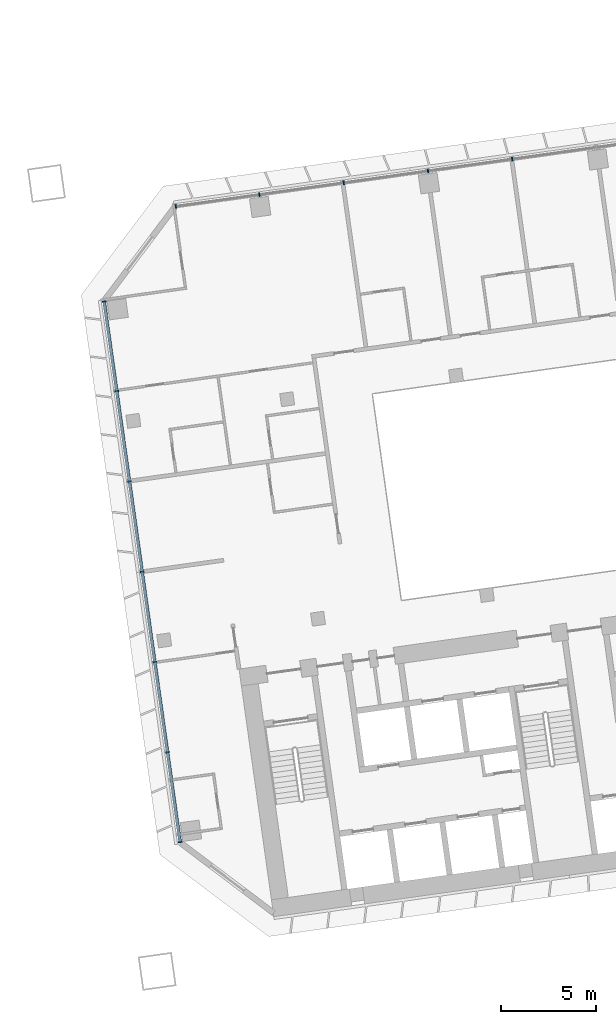
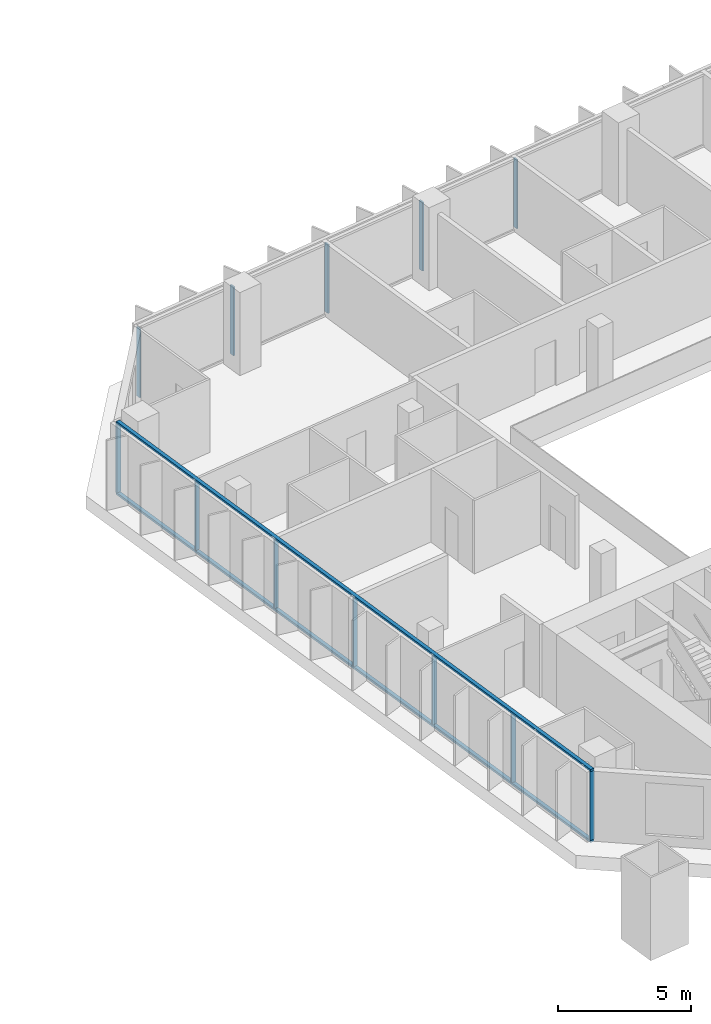
# One storey, part 7 of 24: 14 members, 2 elements without a shape of their own.
"""IFC4 building model written with IfcOpenShell, lengths in metres."""

from ifc_helpers import new_model, si_unit, direction, frame, origin, origin_2d, place, context, subcontext, project, spatial, rectangle, extrude, material, material_profile, profile_set, type_object, element, aggregate, save


model = new_model("IFC4")

# Units and contexts
model_context = context("Model", 3, precision=1e-05, world=origin(), true_north=direction((0.0, 1.0)))
body_context = subcontext(model_context, "Body", "Model", "MODEL_VIEW")
ifc_project = project(units=[si_unit("LENGTHUNIT", "METRE"), si_unit("AREAUNIT", "SQUARE_METRE"), si_unit("VOLUMEUNIT", "CUBIC_METRE"), si_unit("PLANEANGLEUNIT", "RADIAN"), si_unit("MASSUNIT", "GRAM", prefix="KILO")], contexts=[model_context])

# Site, building, storey
site_placement = place(None, origin())
site = spatial("IfcSite", under=ifc_project, at=site_placement, CompositionType="ELEMENT")
building_placement = place(site_placement, origin())
building = spatial("IfcBuilding", under=site, at=building_placement, Name="Mirante Cascada Hotel Towers", CompositionType="ELEMENT")
storey_placement = place(building_placement, frame((0.0, 0.0, 43.3)))
storey = spatial("IfcBuildingStorey", under=building, at=storey_placement, Name="L07", CompositionType="ELEMENT", Elevation=43.3)

# Curtain wall, members
ifc_material_1 = material(Name="Aluminium mullion and transom frame with clear laminated glass", Category="aluminium")
curtain_wall_type_1 = type_object("IfcCurtainWallType", Name="Ribbon curtain wall ECW1", PredefinedType="NOTDEFINED", material=ifc_material_1)
curtain_wall_1_placement = place(storey_placement, origin())
curtain_wall_1 = element("IfcCurtainWall", 1, at=curtain_wall_1_placement, inside=storey, type_object=curtain_wall_type_1, Name="Front ribbon wall T2 L07", PredefinedType="NOTDEFINED")
ifc_material_2 = material(Name="Anodised aluminium extrusion", Category="aluminium")
ifc_material_profile_1 = material_profile(ifc_material_2, rectangle(XDim=0.2, YDim=0.065, at=origin_2d()), Name="ECW1 MULLION 65x200")
ifc_profile_set_1 = profile_set([ifc_material_profile_1], Name="Anodised aluminium extrusion")
member_type_1 = type_object("IfcMemberType", Name="ECW1 mullion 65x200", PredefinedType="MULLION", material=ifc_profile_set_1)
member_1_placement = place(storey_placement, frame((49.684, 19.8017, 0.1), z_axis=(0.0, 0.0, 1.0), x_axis=(0.1391731, -0.9902681, 0.0)))
member_1 = element("IfcMember", 2, at=member_1_placement, type_object=member_type_1, Name="ECW1 mullion 11", PredefinedType="MULLION", context=body_context, shape_type="SweptSolid", body=[
    extrude(rectangle(XDim=0.2, YDim=0.065, at=origin_2d()), origin(), (0.0, 0.0, 1.0), 3.15),
])
member_2_placement = place(storey_placement, frame((45.2366, 19.1766, 0.1), z_axis=(0.0, 0.0, 1.0), x_axis=(0.1391731, -0.9902681, 0.0)))
member_2 = element("IfcMember", 3, at=member_2_placement, type_object=member_type_1, Name="ECW1 mullion 12", PredefinedType="MULLION", context=body_context, shape_type="SweptSolid", body=[
    extrude(rectangle(XDim=0.2, YDim=0.065, at=origin_2d()), origin(), (0.0, 0.0, 1.0), 3.15),
])
member_3_placement = place(storey_placement, frame((40.7892, 18.5516, 0.1), z_axis=(0.0, 0.0, 1.0), x_axis=(0.1391731, -0.9902681, 0.0)))
member_3 = element("IfcMember", 4, at=member_3_placement, type_object=member_type_1, Name="ECW1 mullion 13", PredefinedType="MULLION", context=body_context, shape_type="SweptSolid", body=[
    extrude(rectangle(XDim=0.2, YDim=0.065, at=origin_2d()), origin(), (0.0, 0.0, 1.0), 3.15),
])
member_4_placement = place(storey_placement, frame((36.3417, 17.9265, 0.1), z_axis=(0.0, 0.0, 1.0), x_axis=(0.1391731, -0.9902681, 0.0)))
member_4 = element("IfcMember", 5, at=member_4_placement, type_object=member_type_1, Name="ECW1 mullion 14", PredefinedType="MULLION", context=body_context, shape_type="SweptSolid", body=[
    extrude(rectangle(XDim=0.2, YDim=0.065, at=origin_2d()), origin(), (0.0, 0.0, 1.0), 3.15),
])
member_5_placement = place(storey_placement, frame((31.9265, 17.306, 0.1), z_axis=(0.0, 0.0, 1.0), x_axis=(0.1391731, -0.9902681, 0.0)))
member_5 = element("IfcMember", 6, at=member_5_placement, type_object=member_type_1, Name="ECW1 mullion 15", PredefinedType="MULLION", context=body_context, shape_type="SweptSolid", body=[
    extrude(rectangle(XDim=0.2, YDim=0.065, at=origin_2d()), origin(), (0.0, 0.0, 1.0), 3.15),
])
aggregate(curtain_wall_1, [member_1, member_2, member_3, member_4, member_5])

ifc_material_3 = material(Name="Aluminium mullion and transom frame with clear laminated glass", Category="aluminium")
curtain_wall_type_2 = type_object("IfcCurtainWallType", Name="End ribbon curtain wall ECW2", PredefinedType="NOTDEFINED", material=ifc_material_3)
curtain_wall_2_placement = place(storey_placement, origin())
curtain_wall_2 = element("IfcCurtainWall", 7, at=curtain_wall_2_placement, inside=storey, type_object=curtain_wall_type_2, Name="Inner end wall T2 L07", PredefinedType="NOTDEFINED")
ifc_material_4 = material(Name="Anodised aluminium extrusion", Category="aluminium")
ifc_material_profile_2 = material_profile(ifc_material_4, rectangle(XDim=0.2, YDim=0.065, at=origin_2d()), Name="ECW2 MULLION 65x200")
ifc_profile_set_2 = profile_set([ifc_material_profile_2], Name="Anodised aluminium extrusion")
member_type_2 = type_object("IfcMemberType", Name="ECW2 mullion 65x200", PredefinedType="MULLION", material=ifc_profile_set_2)
member_6_placement = place(storey_placement, frame((28.1437, 12.2861, 0.1), z_axis=(0.0, 0.0, 1.0), x_axis=(0.9902681, 0.1391731, 0.0)))
member_6 = element("IfcMember", 8, at=member_6_placement, type_object=member_type_2, Name="ECW2 mullion 1", PredefinedType="MULLION", context=body_context, shape_type="SweptSolid", body=[
    extrude(rectangle(XDim=0.2, YDim=0.065, at=origin_2d()), origin(), (0.0, 0.0, 1.0), 3.15),
])
member_7_placement = place(storey_placement, frame((28.809, 7.5524, 0.1), z_axis=(0.0, 0.0, 1.0), x_axis=(0.9902681, 0.1391731, 0.0)))
member_7 = element("IfcMember", 9, at=member_7_placement, type_object=member_type_2, Name="ECW2 mullion 2", PredefinedType="MULLION", context=body_context, shape_type="SweptSolid", body=[
    extrude(rectangle(XDim=0.2, YDim=0.065, at=origin_2d()), origin(), (0.0, 0.0, 1.0), 3.15),
])
member_8_placement = place(storey_placement, frame((29.4788, 2.7867, 0.1), z_axis=(0.0, 0.0, 1.0), x_axis=(0.9902681, 0.1391731, 0.0)))
member_8 = element("IfcMember", 10, at=member_8_placement, type_object=member_type_2, Name="ECW2 mullion 3", PredefinedType="MULLION", context=body_context, shape_type="SweptSolid", body=[
    extrude(rectangle(XDim=0.2, YDim=0.065, at=origin_2d()), origin(), (0.0, 0.0, 1.0), 3.15),
])
member_9_placement = place(storey_placement, frame((30.1485, -1.9791, 0.1), z_axis=(0.0, 0.0, 1.0), x_axis=(0.9902681, 0.1391731, 0.0)))
member_9 = element("IfcMember", 11, at=member_9_placement, type_object=member_type_2, Name="ECW2 mullion 4", PredefinedType="MULLION", context=body_context, shape_type="SweptSolid", body=[
    extrude(rectangle(XDim=0.2, YDim=0.065, at=origin_2d()), origin(), (0.0, 0.0, 1.0), 3.15),
])
member_10_placement = place(storey_placement, frame((30.8183, -6.7449, 0.1), z_axis=(0.0, 0.0, 1.0), x_axis=(0.9902681, 0.1391731, 0.0)))
member_10 = element("IfcMember", 12, at=member_10_placement, type_object=member_type_2, Name="ECW2 mullion 5", PredefinedType="MULLION", context=body_context, shape_type="SweptSolid", body=[
    extrude(rectangle(XDim=0.2, YDim=0.065, at=origin_2d()), origin(), (0.0, 0.0, 1.0), 3.15),
])
member_11_placement = place(storey_placement, frame((31.4881, -11.5107, 0.1), z_axis=(0.0, 0.0, 1.0), x_axis=(0.9902681, 0.1391731, 0.0)))
member_11 = element("IfcMember", 13, at=member_11_placement, type_object=member_type_2, Name="ECW2 mullion 6", PredefinedType="MULLION", context=body_context, shape_type="SweptSolid", body=[
    extrude(rectangle(XDim=0.2, YDim=0.065, at=origin_2d()), origin(), (0.0, 0.0, 1.0), 3.15),
])
member_12_placement = place(storey_placement, frame((32.1534, -16.2443, 0.1), z_axis=(0.0, 0.0, 1.0), x_axis=(0.9902681, 0.1391731, 0.0)))
member_12 = element("IfcMember", 14, at=member_12_placement, type_object=member_type_2, Name="ECW2 mullion 7", PredefinedType="MULLION", context=body_context, shape_type="SweptSolid", body=[
    extrude(rectangle(XDim=0.2, YDim=0.065, at=origin_2d()), origin(), (0.0, 0.0, 1.0), 3.15),
])
ifc_material_5 = material(Name="Anodised aluminium extrusion", Category="aluminium")
ifc_material_profile_3 = material_profile(ifc_material_5, rectangle(XDim=0.16, YDim=0.1, at=origin_2d()), Name="ECW2 TRANSOM 100x160")
ifc_profile_set_3 = profile_set([ifc_material_profile_3], Name="Anodised aluminium extrusion")
member_type_3 = type_object("IfcMemberType", Name="ECW2 transom 100x160", PredefinedType="USERDEFINED", material=ifc_profile_set_3)
member_13_placement = place(storey_placement, frame((28.1392, 12.3182, 0.05), z_axis=(0.1391723, -0.9902682, 0.0), x_axis=(0.9902682, 0.1391723, 0.0)))
member_13 = element("IfcMember", 15, at=member_13_placement, type_object=member_type_3, Name="ECW2 sill transom", ObjectType="TRANSOM", PredefinedType="USERDEFINED", context=body_context, shape_type="SweptSolid", body=[
    extrude(rectangle(XDim=0.16, YDim=0.1, at=origin_2d()), origin(), (0.0, 0.0, 1.0), 28.8757),
])
member_14_placement = place(storey_placement, frame((28.1392, 12.3182, 3.3), z_axis=(0.1391723, -0.9902682, 0.0), x_axis=(0.9902682, 0.1391723, 0.0)))
member_14 = element("IfcMember", 16, at=member_14_placement, type_object=member_type_3, Name="ECW2 head transom", ObjectType="TRANSOM", PredefinedType="USERDEFINED", context=body_context, shape_type="SweptSolid", body=[
    extrude(rectangle(XDim=0.16, YDim=0.1, at=origin_2d()), origin(), (0.0, 0.0, 1.0), 28.8757),
])
aggregate(curtain_wall_2, [member_13, member_14, member_6, member_7, member_8, member_9, member_10, member_11, member_12])

save(model, "model.ifc")
